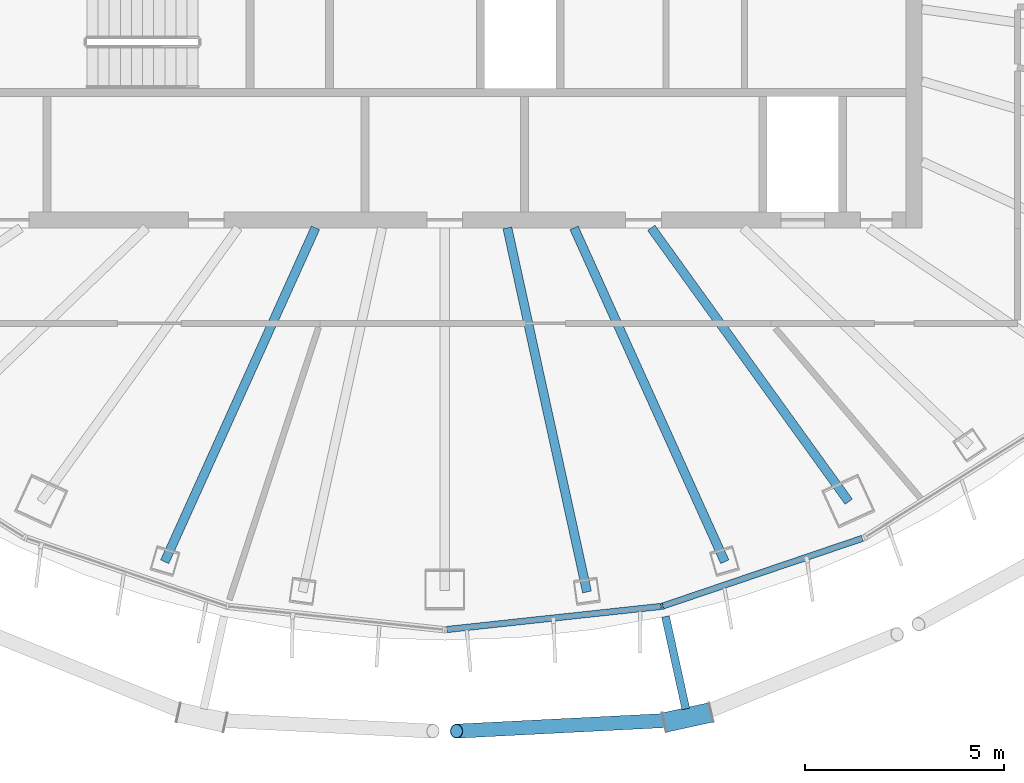
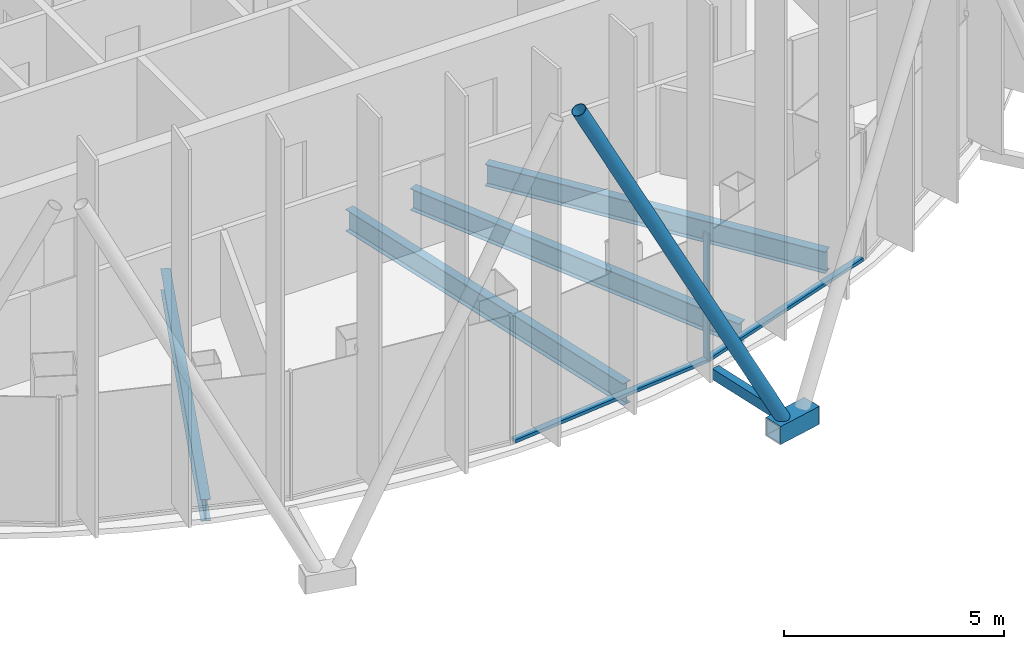
# One storey, part 3 of 19: 6 members, 4 beams, 1 element without a shape of its own.
"""IFC4 building model written with IfcOpenShell, lengths in metres."""

from ifc_helpers import new_model, si_unit, direction, frame, origin, origin_2d, place, context, subcontext, project, spatial, rectangle, hollow_rectangle, hollow_circle, i_section, extrude, material, layer, layer_set, material_profile, profile_set, type_object, element, aggregate, save


model = new_model("IFC4")

# Units and contexts
model_context = context("Model", 3, precision=1e-05, world=origin(), true_north=direction((0.0, 1.0)))
body_context = subcontext(model_context, "Body", "Model", "MODEL_VIEW")
ifc_project = project(units=[si_unit("LENGTHUNIT", "METRE"), si_unit("AREAUNIT", "SQUARE_METRE"), si_unit("VOLUMEUNIT", "CUBIC_METRE"), si_unit("PLANEANGLEUNIT", "RADIAN"), si_unit("MASSUNIT", "GRAM", prefix="KILO")], contexts=[model_context])

# Site, building, storey
site_placement = place(None, origin())
site = spatial("IfcSite", under=ifc_project, at=site_placement, CompositionType="ELEMENT")
building_placement = place(site_placement, origin())
building = spatial("IfcBuilding", under=site, at=building_placement, Name="Siaravel Broadcast Tower", CompositionType="ELEMENT")
storey_placement = place(building_placement, frame((0.0, 0.0, 239.300048828125)))
storey = spatial("IfcBuildingStorey", under=building, at=storey_placement, Name="L58", CompositionType="ELEMENT", Elevation=239.300048828125)

# Beams
ifc_material_1 = material(Name="Steel S355", Category="steel")
ifc_material_profile_1 = material_profile(ifc_material_1, i_section(OverallWidth=0.2275390625, OverallDepth=0.6025390625, WebThickness=0.010498046875, FlangeThickness=0.014892578125, FilletRadius=0.0126953125, at=origin_2d()))
ifc_profile_set_1 = profile_set([ifc_material_profile_1], Name="Steel S355")
beam_type = type_object("IfcBeamType", Name="BM-UB 610x229x101", PredefinedType="BEAM", material=ifc_profile_set_1)
beam_1_placement = place(storey_placement, frame((-7.042724609375, -15.597412109375, -0.451416015625), z_axis=(0.411505786, 0.911407147, 0.0), x_axis=(-0.911407147, 0.411505786, 0.0)))
element("IfcBeam", 1, at=beam_1_placement, inside=storey, type_object=beam_type, Name="Radial beam RB26", PredefinedType="BEAM", context=body_context, shape_type="SweptSolid", body=[
    extrude(i_section(OverallWidth=0.2275390625, OverallDepth=0.6025390625, WebThickness=0.010498046875, FlangeThickness=0.014892578125, FilletRadius=0.0126953125, at=origin_2d()), origin(), (0.0, 0.0, 1.0), 9.213623046875),
])
beam_2_placement = place(storey_placement, frame((3.577392578125, -16.35791015625, -0.451416015625), z_axis=(-0.213633966, 0.976913777, 0.0), x_axis=(-0.976913777, -0.213633966, 0.0)))
element("IfcBeam", 2, at=beam_2_placement, inside=storey, type_object=beam_type, Name="Radial beam RB29", PredefinedType="BEAM", context=body_context, shape_type="SweptSolid", body=[
    extrude(i_section(OverallWidth=0.2275390625, OverallDepth=0.6025390625, WebThickness=0.010498046875, FlangeThickness=0.014892578125, FilletRadius=0.0126953125, at=origin_2d()), origin(), (0.0, 0.0, 1.0), 9.374267578125),
])
beam_3_placement = place(storey_placement, frame((7.042724609375, -15.597412109375, -0.451416015625), z_axis=(-0.411505786, 0.911407147, 0.0), x_axis=(-0.911407147, -0.411505786, 0.0)))
element("IfcBeam", 3, at=beam_3_placement, inside=storey, type_object=beam_type, Name="Radial beam RB30", PredefinedType="BEAM", context=body_context, shape_type="SweptSolid", body=[
    extrude(i_section(OverallWidth=0.2275390625, OverallDepth=0.6025390625, WebThickness=0.010498046875, FlangeThickness=0.014892578125, FilletRadius=0.0126953125, at=origin_2d()), origin(), (0.0, 0.0, 1.0), 9.213623046875),
])
beam_4_placement = place(storey_placement, frame((10.15966796875, -14.0869140625, -0.451416015625), z_axis=(-0.584939282, 0.811077084, 0.0), x_axis=(-0.811077084, -0.584939282, 0.0)))
element("IfcBeam", 4, at=beam_4_placement, inside=storey, type_object=beam_type, Name="Radial beam RB31", PredefinedType="BEAM", context=body_context, shape_type="SweptSolid", body=[
    extrude(i_section(OverallWidth=0.2275390625, OverallDepth=0.6025390625, WebThickness=0.010498046875, FlangeThickness=0.014892578125, FilletRadius=0.0126953125, at=origin_2d()), origin(), (0.0, 0.0, 1.0), 8.4912109375),
])

# Curtain wall, members
ifc_material_2 = material(Name="Aluminium 6063-T6", Category="aluminium")
ifc_layer = layer(ifc_material_2, 0.159912109375)
ifc_layer_set = layer_set([ifc_layer], Name="Aluminium 6063-T6")
curtain_wall_type = type_object("IfcCurtainWallType", Name="Unitised curtain wall, zone 4", PredefinedType="NOTDEFINED", material=ifc_layer_set)
curtain_wall_placement = place(storey_placement, origin())
curtain_wall = element("IfcCurtainWall", 5, at=curtain_wall_placement, inside=storey, type_object=curtain_wall_type, Name="L58 Unitised curtain wall, zone 4 10", PredefinedType="NOTDEFINED")
ifc_material_profile_2 = material_profile(ifc_material_2, rectangle(XDim=0.159912109375, YDim=0.054931640625, at=origin_2d()))
ifc_profile_set_2 = profile_set([ifc_material_profile_2], Name="Aluminium 6063-T6")
member_type_1 = type_object("IfcMemberType", Name="CW-Z4 mullion", PredefinedType="MULLION", material=ifc_profile_set_2)
member_1_placement = place(storey_placement, frame((5.46337890625, -16.7177734375, 0.0), z_axis=(0.0, 0.0, 1.0), x_axis=(-0.215558647, 0.976490896, 0.0)))
member_1 = element("IfcMember", 6, at=member_1_placement, type_object=member_type_1, Name="CW-Z4 mullion 2", PredefinedType="MULLION", context=body_context, shape_type="SweptSolid", body=[
    extrude(rectangle(XDim=0.159912109375, YDim=0.054931640625, at=origin_2d()), origin(), (0.0, 0.0, 1.0), 3.550048828125),
])
ifc_material_profile_3 = material_profile(ifc_material_2, rectangle(XDim=0.159912109375, YDim=0.090087890625, at=origin_2d()))
ifc_profile_set_3 = profile_set([ifc_material_profile_3], Name="Aluminium 6063-T6")
member_type_2 = type_object("IfcMemberType", Name="CW-Z4 transom", PredefinedType="USERDEFINED", material=ifc_profile_set_3)
member_2_placement = place(storey_placement, frame((0.0546875, -17.301025390625, 0.044921875), z_axis=(0.994235542, 0.107217942, 0.0), x_axis=(-0.107217942, 0.994235542, 0.0)))
member_2 = element("IfcMember", 7, at=member_2_placement, type_object=member_type_2, Name="CW-Z4 transom 1", ObjectType="TRANSOM", PredefinedType="USERDEFINED", context=body_context, shape_type="SweptSolid", body=[
    extrude(rectangle(XDim=0.159912109375, YDim=0.090087890625, at=origin_2d()), origin(), (0.0, 0.0, 1.0), 5.41259765625),
])
member_3_placement = place(storey_placement, frame((5.489501953125, -16.708984375, 0.044921875), z_axis=(0.946972687, 0.321314067, 0.0), x_axis=(-0.321314067, 0.946972687, 0.0)))
member_3 = element("IfcMember", 8, at=member_3_placement, type_object=member_type_2, Name="CW-Z4 transom 2", ObjectType="TRANSOM", PredefinedType="USERDEFINED", context=body_context, shape_type="SweptSolid", body=[
    extrude(rectangle(XDim=0.159912109375, YDim=0.090087890625, at=origin_2d()), origin(), (0.0, 0.0, 1.0), 5.29443359375),
])
aggregate(curtain_wall, [member_1, member_2, member_3])

# Members
ifc_material_3 = material(Name="Steel S460", Category="steel")
ifc_material_profile_4 = material_profile(ifc_material_3, hollow_circle(Radius=0.177734375, WallThickness=0.012451171875, at=origin_2d()))
ifc_profile_set_4 = profile_set([ifc_material_profile_4], Name="Steel S460")
member_type_3 = type_object("IfcMemberType", Name="Diagrid diagonal CHS 355.6x12.5", PredefinedType="BRACE", material=ifc_profile_set_4)
member_4_placement = place(storey_placement, frame((5.82080078125, -19.57568359375, 0.02001953125), z_axis=(-0.460045548, -0.023417987, 0.887586442), x_axis=(0.050837805, -0.998706923, 0.0)))
element("IfcMember", 9, at=member_4_placement, inside=storey, type_object=member_type_3, Name="Diagrid diagonal R24 station 57C", PredefinedType="BRACE", context=body_context, shape_type="SweptSolid", body=[
    extrude(hollow_circle(Radius=0.177734375, WallThickness=0.012451171875, at=origin_2d()), origin(), (0.0, 0.0, 1.0), 12.010009765625),
])
ifc_material_profile_5 = material_profile(ifc_material_3, hollow_rectangle(XDim=0.5, YDim=0.5, WallThickness=0.031982421875, at=origin_2d()))
ifc_profile_set_5 = profile_set([ifc_material_profile_5], Name="Steel S460")
member_type_4 = type_object("IfcMemberType", Name="Diagrid node BOX 500x500x32", PredefinedType="USERDEFINED", material=ifc_profile_set_5)
member_5_placement = place(storey_placement, frame((5.530029296875, -19.6396484375, -0.199951171875), z_axis=(0.97675485, 0.214359426, 0.0), x_axis=(-0.214359426, 0.97675485, 0.0)))
element("IfcMember", 10, at=member_5_placement, inside=storey, type_object=member_type_4, Name="Diagrid node R24 station 57", ObjectType="DIAGRID NODE", PredefinedType="USERDEFINED", context=body_context, shape_type="SweptSolid", body=[
    extrude(hollow_rectangle(XDim=0.5, YDim=0.5, WallThickness=0.031982421875, at=origin_2d()), origin(), (0.0, 0.0, 1.0), 1.186767578125),
])
ifc_material_profile_6 = material_profile(ifc_material_3, hollow_rectangle(XDim=0.199951171875, YDim=0.300048828125, WallThickness=0.012451171875, at=origin_2d()))
ifc_profile_set_6 = profile_set([ifc_material_profile_6], Name="Steel S460")
member_type_5 = type_object("IfcMemberType", Name="Diagrid node arm RHS 300x200x12.5", PredefinedType="STRUT", material=ifc_profile_set_6)
member_6_placement = place(storey_placement, frame((5.55224609375, -16.972900390625, -0.199951171875), z_axis=(0.2143882, -0.976748535, 0.0), x_axis=(0.976748535, 0.2143882, 0.0)))
element("IfcMember", 11, at=member_6_placement, inside=storey, type_object=member_type_5, Name="Node arm R24 station 57", PredefinedType="STRUT", context=body_context, shape_type="SweptSolid", body=[
    extrude(hollow_rectangle(XDim=0.199951171875, YDim=0.300048828125, WallThickness=0.012451171875, at=origin_2d()), origin(), (0.0, 0.0, 1.0), 2.380126953125),
])

save(model, "model.ifc")
